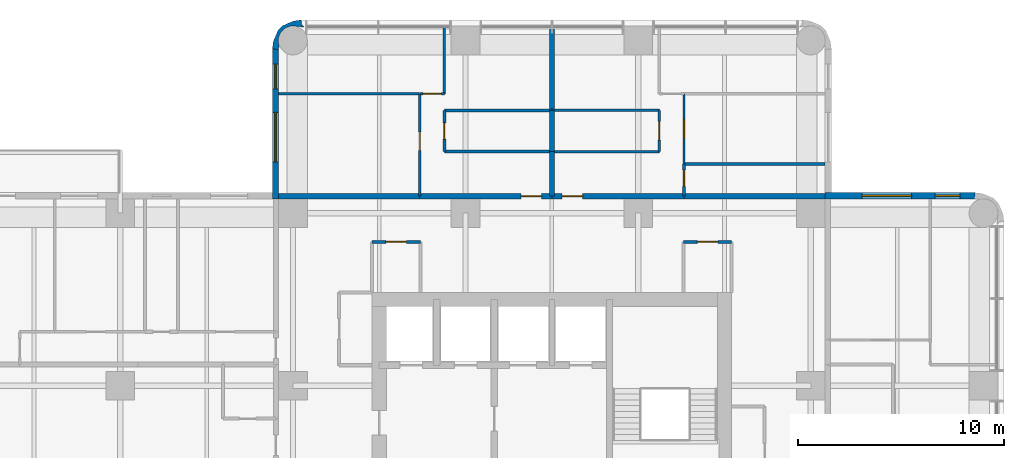
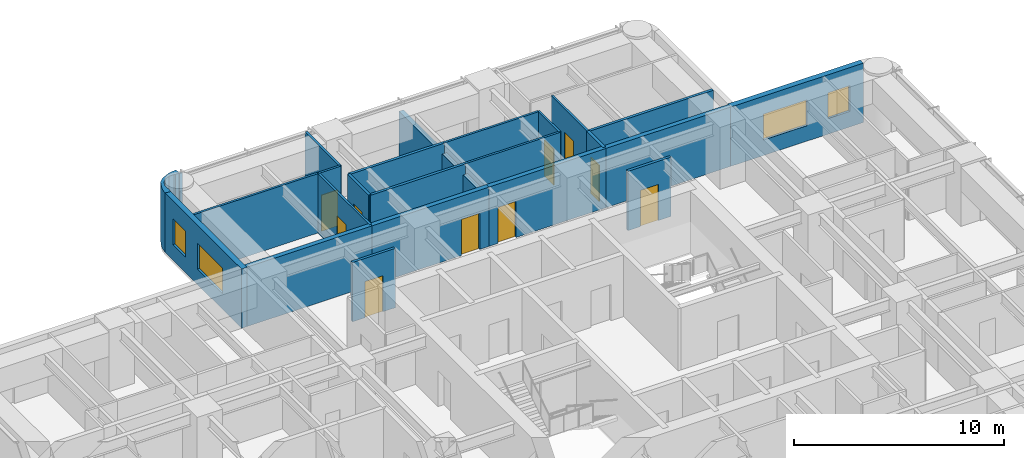
# One storey, part 9 of 11: 25 walls, 10 doors, 4 windows, 14 openings.
"""IFC4 building model written with IfcOpenShell, lengths in metres."""

from ifc_helpers import new_model, si_unit, direction, frame, frame_2d, origin, place, context, subcontext, project, spatial, polyline, rectangle, outline, extrude, material, layer, layer_set, type_object, element, fill, save


model = new_model("IFC4")

# Units and contexts
model_context = context("Model", 3, precision=1e-05, world=origin(), true_north=direction((0.0, 1.0)))
body_context = subcontext(model_context, "Body", "Model", "MODEL_VIEW")
ifc_project = project(units=[si_unit("LENGTHUNIT", "METRE"), si_unit("AREAUNIT", "SQUARE_METRE"), si_unit("VOLUMEUNIT", "CUBIC_METRE"), si_unit("PLANEANGLEUNIT", "RADIAN"), si_unit("MASSUNIT", "GRAM", prefix="KILO")], contexts=[model_context])

# Site, building, storey
site_placement = place(None, origin())
site = spatial("IfcSite", under=ifc_project, at=site_placement, CompositionType="ELEMENT")
building_placement = place(site_placement, origin())
building = spatial("IfcBuilding", under=site, at=building_placement, Name="Torre Alcanfor", CompositionType="ELEMENT")
storey_placement = place(building_placement, frame((0.0, 0.0, 237.300048828125)))
storey = spatial("IfcBuildingStorey", under=building, at=storey_placement, Name="L62", CompositionType="ELEMENT", Elevation=237.300048828125)

# Wall, opening, door
ifc_material_1 = material(Name="Concrete block masonry, hollow blocks NMX-C-404 9 MPa", Category="masonry")
ifc_layer_1 = layer(ifc_material_1, 0.25)
ifc_layer_set_1 = layer_set([ifc_layer_1], Name="Apartment entrance wall 250 EI 60")
wall_type_1 = type_object("IfcWallType", Name="Apartment entrance wall 250 EI 60", PredefinedType="PARTITIONING", material=ifc_layer_set_1)
wall_1_placement = place(storey_placement, frame((22.970947265625, 42.824951171875, 0.0), z_axis=(0.0, 0.0, 1.0), x_axis=(1.0, 0.0, 0.0)))
wall_1 = element("IfcWall", 1, at=wall_1_placement, inside=storey, type_object=wall_type_1, Name="Partition L62-CORR / L62-N1-LIVING", PredefinedType="PARTITIONING", context=body_context, shape_type="SweptSolid", body=[
    extrude(rectangle(XDim=6.428955078125, YDim=0.25, at=frame_2d((3.21435546875, 0.0))), origin(), (0.0, 0.0, 1.0), 3.449951171875),
])
opening_1_placement = place(wall_1_placement, frame((4.928955078125, 0.0, 0.0)))
opening_1 = element("IfcOpeningElement", 2, at=opening_1_placement, cuts=wall_1, Name="Opening D-A1", PredefinedType="OPENING", context=body_context, shape_type="SweptSolid", body=[
    extrude(rectangle(XDim=1.0, YDim=2.10009765625, at=frame_2d((0.5, 1.050048828125))), frame((0.0, 0.135009765625, 0.0), z_axis=(0.0, -1.0, 0.0), x_axis=(1.0, 0.0, 0.0)), (0.0, 0.0, 1.0), 0.27001953125),
])
ifc_material_2 = material(Name="Galvanised steel sheet ASTM A653", Category="steel")
door_type_1 = type_object("IfcDoorType", Name="Apartment entrance door FD60 1000x2100", OperationType="SINGLE_SWING_LEFT", PredefinedType="DOOR", material=ifc_material_2)
door_1_placement = place(opening_1_placement, origin())
door_1 = element("IfcDoor", 3, at=door_1_placement, inside=storey, type_object=door_type_1, Name="Apartment entrance L62-N1", OperationType="SINGLE_SWING_RIGHT", OverallHeight=2.10009765625, OverallWidth=1.0, PredefinedType="DOOR", context=body_context, shape_type="SweptSolid", body=[
    extrude(rectangle(XDim=1.0, YDim=2.10009765625, at=frame_2d((0.5, 1.050048828125))), frame((0.0, 0.02490234375, 0.0), z_axis=(0.0, -1.0, 0.0), x_axis=(1.0, 0.0, 0.0)), (0.0, 0.0, 1.0), 0.050048828125),
])
fill(opening_1, door_1)

# Wall
wall_2_placement = place(storey_placement, frame((16.10009765625, 42.824951171875, 0.0), z_axis=(0.0, 0.0, 1.0), x_axis=(1.0, 0.0, 0.0)))
element("IfcWall", 4, at=wall_2_placement, inside=storey, type_object=wall_type_1, Name="Partition L62-CORR / L62-N1-BED2", PredefinedType="PARTITIONING", context=body_context, shape_type="SweptSolid", body=[
    extrude(rectangle(XDim=6.870849609375, YDim=0.25, at=frame_2d((3.435546875, 0.0))), origin(), (0.0, 0.0, 1.0), 3.449951171875),
])

# Wall, opening, door
wall_3_placement = place(storey_placement, frame((29.39990234375, 42.824951171875, 0.0), z_axis=(0.0, 0.0, 1.0), x_axis=(1.0, 0.0, 0.0)))
wall_3 = element("IfcWall", 5, at=wall_3_placement, inside=storey, type_object=wall_type_1, Name="Partition L62-CORR / L62-N2-LIVING", PredefinedType="PARTITIONING", context=body_context, shape_type="SweptSolid", body=[
    extrude(rectangle(XDim=6.42919921875, YDim=0.25, at=frame_2d((3.214599609375, 0.0))), origin(), (0.0, 0.0, 1.0), 3.449951171875),
])
opening_2_placement = place(wall_3_placement, frame((0.5, 0.0, 0.0)))
opening_2 = element("IfcOpeningElement", 6, at=opening_2_placement, cuts=wall_3, Name="Opening D-A1", PredefinedType="OPENING", context=body_context, shape_type="SweptSolid", body=[
    extrude(rectangle(XDim=1.0, YDim=2.10009765625, at=frame_2d((0.5, 1.050048828125))), frame((0.0, 0.135009765625, 0.0), z_axis=(0.0, -1.0, 0.0), x_axis=(1.0, 0.0, 0.0)), (0.0, 0.0, 1.0), 0.27001953125),
])
door_2_placement = place(opening_2_placement, origin())
door_2 = element("IfcDoor", 7, at=door_2_placement, inside=storey, type_object=door_type_1, Name="Apartment entrance L62-N2", OperationType="SINGLE_SWING_LEFT", OverallHeight=2.10009765625, OverallWidth=1.0, PredefinedType="DOOR", context=body_context, shape_type="SweptSolid", body=[
    extrude(rectangle(XDim=1.0, YDim=2.10009765625, at=frame_2d((0.5, 1.050048828125))), frame((0.0, 0.02490234375, 0.0), z_axis=(0.0, -1.0, 0.0), x_axis=(1.0, 0.0, 0.0)), (0.0, 0.0, 1.0), 0.050048828125),
])
fill(opening_2, door_2)

# Wall
wall_4_placement = place(storey_placement, frame((35.8291015625, 42.824951171875, 0.0), z_axis=(0.0, 0.0, 1.0), x_axis=(1.0, 0.0, 0.0)))
element("IfcWall", 8, at=wall_4_placement, inside=storey, type_object=wall_type_1, Name="Partition L62-CORR / L62-N2-BATH", PredefinedType="PARTITIONING", context=body_context, shape_type="SweptSolid", body=[
    extrude(rectangle(XDim=6.870849609375, YDim=0.25, at=frame_2d((3.435546875, 0.0))), origin(), (0.0, 0.0, 1.0), 3.449951171875),
])

# Wall, opening, door
ifc_material_3 = material(Name="Gypsum board on steel studs", Category="steel")
ifc_layer_2 = layer(ifc_material_3, 0.1201171875)
ifc_layer_set_2 = layer_set([ifc_layer_2], Name="Apartment partition 120")
wall_type_2 = type_object("IfcWallType", Name="Apartment partition 120", PredefinedType="PARTITIONING", material=ifc_layer_set_2)
wall_5_placement = place(storey_placement, frame((22.970947265625, 42.824951171875, 0.0), z_axis=(0.0, 0.0, 1.0), x_axis=(0.0, 1.0, 0.0)))
wall_5 = element("IfcWall", 9, at=wall_5_placement, inside=storey, type_object=wall_type_2, Name="Partition L62-N1-LIVING / L62-N1-BED2", PredefinedType="PARTITIONING", context=body_context, shape_type="SweptSolid", body=[
    extrude(rectangle(XDim=4.97509765625, YDim=0.1201171875, at=frame_2d((2.487548828125, 0.0))), origin(), (0.0, 0.0, 1.0), 3.449951171875),
])
opening_3_placement = place(wall_5_placement, frame((2.22509765625, 0.0, 0.0)))
opening_3 = element("IfcOpeningElement", 10, at=opening_3_placement, cuts=wall_5, Name="Opening D-R1", PredefinedType="OPENING", context=body_context, shape_type="SweptSolid", body=[
    extrude(rectangle(XDim=0.89990234375, YDim=2.10009765625, at=frame_2d((0.449951171875, 1.050048828125))), frame((0.0, 0.070068359375, 0.0), z_axis=(0.0, -1.0, 0.0), x_axis=(1.0, 0.0, 0.0)), (0.0, 0.0, 1.0), 0.14013671875),
])
ifc_material_4 = material(Name="Timber", Category="wood")
door_type_2 = type_object("IfcDoorType", Name="Internal door 900x2100", OperationType="SINGLE_SWING_LEFT", PredefinedType="DOOR", material=ifc_material_4)
door_3_placement = place(opening_3_placement, origin())
door_3 = element("IfcDoor", 11, at=door_3_placement, inside=storey, type_object=door_type_2, Name="Door L62-N1 bed2", OperationType="SINGLE_SWING_RIGHT", OverallHeight=2.10009765625, OverallWidth=0.89990234375, PredefinedType="DOOR", context=body_context, shape_type="SweptSolid", body=[
    extrude(rectangle(XDim=0.89990234375, YDim=2.10009765625, at=frame_2d((0.449951171875, 1.050048828125))), frame((0.0, 0.02490234375, 0.0), z_axis=(0.0, -1.0, 0.0), x_axis=(1.0, 0.0, 0.0)), (0.0, 0.0, 1.0), 0.050048828125),
])
fill(opening_3, door_3)

wall_6_placement = place(storey_placement, frame((22.970947265625, 47.800048828125, 0.0), z_axis=(0.0, 0.0, 1.0), x_axis=(1.0, 0.0, 0.0)))
wall_6 = element("IfcWall", 12, at=wall_6_placement, inside=storey, type_object=wall_type_2, Name="Partition L62-N1-LIVING / L62-N1-MASTER", PredefinedType="PARTITIONING", context=body_context, shape_type="SweptSolid", body=[
    extrude(rectangle(XDim=1.199951171875, YDim=0.1201171875, at=frame_2d((0.60009765625, 0.0))), origin(), (0.0, 0.0, 1.0), 3.449951171875),
])
opening_4_placement = place(wall_6_placement, frame((0.14892578125, 0.0, 0.0)))
opening_4 = element("IfcOpeningElement", 13, at=opening_4_placement, cuts=wall_6, Name="Opening D-R1", PredefinedType="OPENING", context=body_context, shape_type="SweptSolid", body=[
    extrude(rectangle(XDim=0.89990234375, YDim=2.10009765625, at=frame_2d((0.449951171875, 1.050048828125))), frame((0.0, 0.070068359375, 0.0), z_axis=(0.0, -1.0, 0.0), x_axis=(1.0, 0.0, 0.0)), (0.0, 0.0, 1.0), 0.14013671875),
])
door_4_placement = place(opening_4_placement, origin())
door_4 = element("IfcDoor", 14, at=door_4_placement, inside=storey, type_object=door_type_2, Name="Door L62-N1 master", OperationType="SINGLE_SWING_RIGHT", OverallHeight=2.10009765625, OverallWidth=0.89990234375, PredefinedType="DOOR", context=body_context, shape_type="SweptSolid", body=[
    extrude(rectangle(XDim=0.89990234375, YDim=2.10009765625, at=frame_2d((0.449951171875, 1.050048828125))), frame((0.0, 0.02490234375, 0.0), z_axis=(0.0, -1.0, 0.0), x_axis=(1.0, 0.0, 0.0)), (0.0, 0.0, 1.0), 0.050048828125),
])
fill(opening_4, door_4)

# Walls
wall_7_placement = place(storey_placement, frame((24.1708984375, 47.800048828125, 0.0), z_axis=(0.0, 0.0, 1.0), x_axis=(0.0, 1.0, 0.0)))
element("IfcWall", 15, at=wall_7_placement, inside=storey, type_object=wall_type_2, Name="Partition L62-N1-LIVING / L62-N1-MASTER", PredefinedType="PARTITIONING", context=body_context, shape_type="SweptSolid", body=[
    extrude(rectangle(XDim=3.25, YDim=0.1201171875, at=frame_2d((1.625, 0.0))), origin(), (0.0, 0.0, 1.0), 3.449951171875),
])
wall_8_placement = place(storey_placement, frame((22.970947265625, 47.800048828125, 0.0), z_axis=(0.0, 0.0, 1.0), x_axis=(-1.0, 0.0, 0.0)))
element("IfcWall", 16, at=wall_8_placement, inside=storey, type_object=wall_type_2, Name="Partition L62-N1-BED2 / L62-N1-MASTER", PredefinedType="PARTITIONING", context=body_context, shape_type="SweptSolid", body=[
    extrude(rectangle(XDim=6.870849609375, YDim=0.1201171875, at=frame_2d((3.435546875, 0.0))), origin(), (0.0, 0.0, 1.0), 3.449951171875),
])
wall_9_placement = place(storey_placement, frame((29.39990234375, 47.0, 0.0), z_axis=(0.0, 0.0, 1.0), x_axis=(1.0, 0.0, 0.0)))
element("IfcWall", 17, at=wall_9_placement, inside=storey, type_object=wall_type_2, Name="Partition L62-N2-KITCHEN / L62-N2-LIVING", PredefinedType="PARTITIONING", context=body_context, shape_type="SweptSolid", body=[
    extrude(rectangle(XDim=5.22900390625, YDim=0.1201171875, at=frame_2d((2.614501953125, 0.0))), origin(), (0.0, 0.0, 1.0), 3.449951171875),
])

# Wall, opening, door
wall_10_placement = place(storey_placement, frame((34.62890625, 47.0, 0.0), z_axis=(0.0, 0.0, 1.0), x_axis=(0.0, -1.0, 0.0)))
wall_10 = element("IfcWall", 18, at=wall_10_placement, inside=storey, type_object=wall_type_2, Name="Partition L62-N2-KITCHEN / L62-N2-LIVING", PredefinedType="PARTITIONING", context=body_context, shape_type="SweptSolid", body=[
    extrude(rectangle(XDim=2.0, YDim=0.1201171875, at=frame_2d((1.0, 0.0))), origin(), (0.0, 0.0, 1.0), 3.449951171875),
])
opening_5_placement = place(wall_10_placement, frame((0.550048828125, 0.0, 0.0)))
opening_5 = element("IfcOpeningElement", 19, at=opening_5_placement, cuts=wall_10, Name="Opening D-R1", PredefinedType="OPENING", context=body_context, shape_type="SweptSolid", body=[
    extrude(rectangle(XDim=0.89990234375, YDim=2.10009765625, at=frame_2d((0.449951171875, 1.050048828125))), frame((0.0, 0.070068359375, 0.0), z_axis=(0.0, -1.0, 0.0), x_axis=(1.0, 0.0, 0.0)), (0.0, 0.0, 1.0), 0.14013671875),
])
door_5_placement = place(opening_5_placement, frame((0.89990234375, 0.0, 0.0), z_axis=(0.0, 0.0, 1.0), x_axis=(-1.0, 0.0, 0.0)))
door_5 = element("IfcDoor", 20, at=door_5_placement, inside=storey, type_object=door_type_2, Name="Door L62-N2 kitchen", OperationType="SINGLE_SWING_RIGHT", OverallHeight=2.10009765625, OverallWidth=0.89990234375, PredefinedType="DOOR", context=body_context, shape_type="SweptSolid", body=[
    extrude(rectangle(XDim=0.89990234375, YDim=2.10009765625, at=frame_2d((0.449951171875, 1.050048828125))), frame((0.0, 0.025146484375, 0.0), z_axis=(0.0, -1.0, 0.0), x_axis=(1.0, 0.0, 0.0)), (0.0, 0.0, 1.0), 0.050048828125),
])
fill(opening_5, door_5)

# Wall
wall_11_placement = place(storey_placement, frame((34.62890625, 45.0, 0.0), z_axis=(0.0, 0.0, 1.0), x_axis=(-1.0, 0.0, 0.0)))
element("IfcWall", 21, at=wall_11_placement, inside=storey, type_object=wall_type_2, Name="Partition L62-N2-KITCHEN / L62-N2-LIVING", PredefinedType="PARTITIONING", context=body_context, shape_type="SweptSolid", body=[
    extrude(rectangle(XDim=5.22900390625, YDim=0.1201171875, at=frame_2d((2.614501953125, 0.0))), origin(), (0.0, 0.0, 1.0), 3.449951171875),
])

# Wall, opening, door
wall_12_placement = place(storey_placement, frame((35.8291015625, 47.800048828125, 0.0), z_axis=(0.0, 0.0, 1.0), x_axis=(0.0, -1.0, 0.0)))
wall_12 = element("IfcWall", 22, at=wall_12_placement, inside=storey, type_object=wall_type_2, Name="Partition L62-N2-LIVING / L62-N2-STUDY", PredefinedType="PARTITIONING", context=body_context, shape_type="SweptSolid", body=[
    extrude(rectangle(XDim=3.400146484375, YDim=0.1201171875, at=frame_2d((1.7001953125, 0.0))), origin(), (0.0, 0.0, 1.0), 3.449951171875),
])
opening_6_placement = place(wall_12_placement, frame((1.25, 0.0, 0.0)))
opening_6 = element("IfcOpeningElement", 23, at=opening_6_placement, cuts=wall_12, Name="Opening D-R1", PredefinedType="OPENING", context=body_context, shape_type="SweptSolid", body=[
    extrude(rectangle(XDim=0.89990234375, YDim=2.10009765625, at=frame_2d((0.449951171875, 1.050048828125))), frame((0.0, 0.070068359375, 0.0), z_axis=(0.0, -1.0, 0.0), x_axis=(1.0, 0.0, 0.0)), (0.0, 0.0, 1.0), 0.14013671875),
])
door_6_placement = place(opening_6_placement, origin())
door_6 = element("IfcDoor", 24, at=door_6_placement, inside=storey, type_object=door_type_2, Name="Door L62-N2 study", OperationType="SINGLE_SWING_LEFT", OverallHeight=2.10009765625, OverallWidth=0.89990234375, PredefinedType="DOOR", context=body_context, shape_type="SweptSolid", body=[
    extrude(rectangle(XDim=0.89990234375, YDim=2.10009765625, at=frame_2d((0.449951171875, 1.050048828125))), frame((0.0, 0.02490234375, 0.0), z_axis=(0.0, -1.0, 0.0), x_axis=(1.0, 0.0, 0.0)), (0.0, 0.0, 1.0), 0.050048828125),
])
fill(opening_6, door_6)

# Wall, openings, windows
ifc_material_5 = material(Name="Limestone cladding", Category="masonry")
ifc_layer_3 = layer(ifc_material_5, 0.0400390625, Name="Facing")
ifc_material_6 = material(Name="Ventilated air cavity")
ifc_layer_4 = layer(ifc_material_6, 0.02001953125, ventilated=True, Name="Ventilated joint")
ifc_material_7 = material(Name="Mineral wool insulation", Category="insulation")
ifc_layer_5 = layer(ifc_material_7, 0.10009765625, Name="Insulation")
ifc_material_8 = material(Name="Concrete f'c 35 MPa", Category="concrete")
ifc_layer_6 = layer(ifc_material_8, 0.139892578125, Name="Backing")
ifc_layer_set_3 = layer_set([ifc_layer_3, ifc_layer_4, ifc_layer_5, ifc_layer_6], Name="External wall stone-clad 300")
wall_type_3 = type_object("IfcWallType", Name="External wall stone-clad 300", PredefinedType="SOLIDWALL", material=ifc_layer_set_3)
wall_13_placement = place(storey_placement, frame((50.0, 42.85009765625, 0.0), z_axis=(0.0, 0.0, 1.0), x_axis=(-1.0, 0.0, 0.0)))
wall_13 = element("IfcWall", 25, at=wall_13_placement, inside=storey, type_object=wall_type_3, Name="External wall L62 9", PredefinedType="SOLIDWALL", context=body_context, shape_type="SweptSolid", body=[
    extrude(rectangle(XDim=7.300048828125, YDim=0.300048828125, at=frame_2d((3.64990234375, 0.0))), origin(), (0.0, 0.0, 1.0), 3.449951171875),
])
opening_7_placement = place(wall_13_placement, frame((3.10009765625, 0.0, 0.89990234375)))
opening_7 = element("IfcOpeningElement", 26, at=opening_7_placement, cuts=wall_13, Name="Opening W1", PredefinedType="OPENING", context=body_context, shape_type="SweptSolid", body=[
    extrude(rectangle(XDim=2.39990234375, YDim=1.5, at=frame_2d((1.199951171875, 0.75))), frame((0.0, 0.159912109375, 0.0), z_axis=(0.0, -1.0, 0.0), x_axis=(1.0, 0.0, 0.0)), (0.0, 0.0, 1.0), 0.320068359375),
])
opening_8_placement = place(wall_13_placement, frame((0.75, 0.0, 0.89990234375)))
opening_8 = element("IfcOpeningElement", 27, at=opening_8_placement, cuts=wall_13, Name="Opening W4", PredefinedType="OPENING", context=body_context, shape_type="SweptSolid", body=[
    extrude(rectangle(XDim=1.199951171875, YDim=1.5, at=frame_2d((0.60009765625, 0.75))), frame((0.0, 0.159912109375, 0.0), z_axis=(0.0, -1.0, 0.0), x_axis=(1.0, 0.0, 0.0)), (0.0, 0.0, 1.0), 0.320068359375),
])
ifc_material_9 = material(Name="Aluminium frame with clear double glazing", Category="aluminium")
window_type_1 = type_object("IfcWindowType", Name="Window bedroom 1200x1500", PartitioningType="SINGLE_PANEL", PredefinedType="WINDOW", material=ifc_material_9)
window_1_placement = place(opening_8_placement, origin())
window_1 = element("IfcWindow", 28, at=window_1_placement, inside=storey, type_object=window_type_1, Name="Window W4 L62-E1", OverallHeight=1.5, OverallWidth=1.199951171875, PartitioningType="SINGLE_PANEL", PredefinedType="WINDOW", context=body_context, shape_type="SweptSolid", body=[
    extrude(rectangle(XDim=1.199951171875, YDim=1.5, at=frame_2d((0.60009765625, 0.75))), frame((0.0, 0.030029296875, 0.0), z_axis=(0.0, -1.0, 0.0), x_axis=(1.0, 0.0, 0.0)), (0.0, 0.0, 1.0), 0.06005859375),
])
fill(opening_8, window_1)
ifc_material_10 = material(Name="Aluminium frame with clear double glazing", Category="aluminium")
window_type_2 = type_object("IfcWindowType", Name="Window bedroom 2400x1500", PartitioningType="SINGLE_PANEL", PredefinedType="WINDOW", material=ifc_material_10)
window_2_placement = place(opening_7_placement, origin())
window_2 = element("IfcWindow", 29, at=window_2_placement, inside=storey, type_object=window_type_2, Name="Window W1 L62-E1", OverallHeight=1.5, OverallWidth=2.39990234375, PartitioningType="SINGLE_PANEL", PredefinedType="WINDOW", context=body_context, shape_type="SweptSolid", body=[
    extrude(rectangle(XDim=2.39990234375, YDim=1.5, at=frame_2d((1.199951171875, 0.75))), frame((0.0, 0.030029296875, 0.0), z_axis=(0.0, -1.0, 0.0), x_axis=(1.0, 0.0, 0.0)), (0.0, 0.0, 1.0), 0.06005859375),
])
fill(opening_7, window_2)

wall_14_placement = place(storey_placement, frame((15.949951171875, 50.0, 0.0), z_axis=(0.0, 0.0, 1.0), x_axis=(0.0, -1.0, 0.0)))
wall_14 = element("IfcWall", 30, at=wall_14_placement, inside=storey, type_object=wall_type_3, Name="External wall L62 12", PredefinedType="SOLIDWALL", context=body_context, shape_type="SweptSolid", body=[
    extrude(rectangle(XDim=7.300048828125, YDim=0.300048828125, at=frame_2d((3.64990234375, 0.0))), origin(), (0.0, 0.0, 1.0), 3.449951171875),
])
opening_9_placement = place(wall_14_placement, frame((3.10009765625, 0.0, 0.89990234375)))
opening_9 = element("IfcOpeningElement", 31, at=opening_9_placement, cuts=wall_14, Name="Opening W1", PredefinedType="OPENING", context=body_context, shape_type="SweptSolid", body=[
    extrude(rectangle(XDim=2.39990234375, YDim=1.5, at=frame_2d((1.199951171875, 0.75))), frame((0.0, 0.159912109375, 0.0), z_axis=(0.0, -1.0, 0.0), x_axis=(1.0, 0.0, 0.0)), (0.0, 0.0, 1.0), 0.320068359375),
])
opening_10_placement = place(wall_14_placement, frame((0.75, 0.0, 0.89990234375)))
opening_10 = element("IfcOpeningElement", 32, at=opening_10_placement, cuts=wall_14, Name="Opening W4", PredefinedType="OPENING", context=body_context, shape_type="SweptSolid", body=[
    extrude(rectangle(XDim=1.199951171875, YDim=1.5, at=frame_2d((0.60009765625, 0.75))), frame((0.0, 0.159912109375, 0.0), z_axis=(0.0, -1.0, 0.0), x_axis=(1.0, 0.0, 0.0)), (0.0, 0.0, 1.0), 0.320068359375),
])
window_3_placement = place(opening_10_placement, origin())
window_3 = element("IfcWindow", 33, at=window_3_placement, inside=storey, type_object=window_type_1, Name="Window W4 L62-N1", OverallHeight=1.5, OverallWidth=1.199951171875, PartitioningType="SINGLE_PANEL", PredefinedType="WINDOW", context=body_context, shape_type="SweptSolid", body=[
    extrude(rectangle(XDim=1.199951171875, YDim=1.5, at=frame_2d((0.60009765625, 0.75))), frame((0.0, 0.030029296875, 0.0), z_axis=(0.0, -1.0, 0.0), x_axis=(1.0, 0.0, 0.0)), (0.0, 0.0, 1.0), 0.06005859375),
])
fill(opening_10, window_3)
window_4_placement = place(opening_9_placement, origin())
window_4 = element("IfcWindow", 34, at=window_4_placement, inside=storey, type_object=window_type_2, Name="Window W1 L62-N1", OverallHeight=1.5, OverallWidth=2.39990234375, PartitioningType="SINGLE_PANEL", PredefinedType="WINDOW", context=body_context, shape_type="SweptSolid", body=[
    extrude(rectangle(XDim=2.39990234375, YDim=1.5, at=frame_2d((1.199951171875, 0.75))), frame((0.0, 0.030029296875, 0.0), z_axis=(0.0, -1.0, 0.0), x_axis=(1.0, 0.0, 0.0)), (0.0, 0.0, 1.0), 0.06005859375),
])
fill(opening_9, window_4)

# Walls
ifc_material_11 = material(Name="Concrete block masonry, hollow blocks NMX-C-404 9 MPa", Category="masonry")
ifc_layer_7 = layer(ifc_material_11, 0.25)
ifc_layer_set_4 = layer_set([ifc_layer_7], Name="Party wall 250 EI 60")
wall_type_4 = type_object("IfcWallType", Name="Party wall 250 EI 60", PredefinedType="PARTITIONING", material=ifc_layer_set_4)
wall_15_placement = place(storey_placement, frame((29.39990234375, 45.0, 0.0), z_axis=(0.0, 0.0, 1.0), x_axis=(0.0, 1.0, 0.0)))
element("IfcWall", 35, at=wall_15_placement, inside=storey, type_object=wall_type_4, Name="Partition L62-N1-BATH / L62-N2-KITCHEN", PredefinedType="PARTITIONING", context=body_context, shape_type="SweptSolid", body=[
    extrude(rectangle(XDim=2.0, YDim=0.25, at=frame_2d((1.0, 0.0))), origin(), (0.0, 0.0, 1.0), 2.847900390625),
])
wall_16_placement = place(storey_placement, frame((29.39990234375, 45.0, 0.0), z_axis=(0.0, 0.0, 1.0), x_axis=(0.0, -1.0, 0.0)))
element("IfcWall", 36, at=wall_16_placement, inside=storey, type_object=wall_type_4, Name="Partition L62-N1-LIVING / L62-N2-LIVING", PredefinedType="PARTITIONING", context=body_context, shape_type="SweptSolid", body=[
    extrude(rectangle(XDim=2.175048828125, YDim=0.25, at=frame_2d((1.08740234375, 0.0))), origin(), (0.0, 0.0, 1.0), 2.847900390625),
])
wall_17_placement = place(storey_placement, frame((29.39990234375, 51.050048828125, 0.0), z_axis=(0.0, 0.0, 1.0), x_axis=(0.0, -1.0, 0.0)))
element("IfcWall", 37, at=wall_17_placement, inside=storey, type_object=wall_type_4, Name="Partition L62-N1-LIVING / L62-N2-LIVING", PredefinedType="PARTITIONING", context=body_context, shape_type="SweptSolid", body=[
    extrude(rectangle(XDim=4.050048828125, YDim=0.25, at=frame_2d((2.02490234375, 0.0))), origin(), (0.0, 0.0, 1.0), 2.847900390625),
])

# Wall, opening, door
ifc_material_12 = material(Name="Concrete block masonry, hollow blocks NMX-C-404 9 MPa", Category="masonry")
ifc_layer_8 = layer(ifc_material_12, 0.14990234375)
ifc_layer_set_5 = layer_set([ifc_layer_8], Name="Residents' room partition 150")
wall_type_5 = type_object("IfcWallType", Name="Residents' room partition 150", PredefinedType="PARTITIONING", material=ifc_layer_set_5)
wall_18_placement = place(storey_placement, frame((23.0, 40.60009765625, 0.0), z_axis=(0.0, 0.0, 1.0), x_axis=(-1.0, 0.0, 0.0)))
wall_18 = element("IfcWall", 38, at=wall_18_placement, inside=storey, type_object=wall_type_5, Name="Partition L62-CORR / L62-G01", PredefinedType="PARTITIONING", context=body_context, shape_type="SweptSolid", body=[
    extrude(rectangle(XDim=2.35009765625, YDim=0.14990234375, at=frame_2d((1.175048828125, 0.0))), origin(), (0.0, 0.0, 1.0), 3.449951171875),
])
opening_11_placement = place(wall_18_placement, frame((0.675048828125, 0.0, 0.0)))
opening_11 = element("IfcOpeningElement", 39, at=opening_11_placement, cuts=wall_18, Name="Opening D-M1", PredefinedType="OPENING", context=body_context, shape_type="SweptSolid", body=[
    extrude(rectangle(XDim=1.0, YDim=2.10009765625, at=frame_2d((0.5, 1.050048828125))), frame((0.0, 0.0849609375, 0.0), z_axis=(0.0, -1.0, 0.0), x_axis=(1.0, 0.0, 0.0)), (0.0, 0.0, 1.0), 0.169921875),
])
ifc_material_13 = material(Name="Timber", Category="wood")
door_type_3 = type_object("IfcDoorType", Name="Residents' room door 1000x2100", OperationType="SINGLE_SWING_LEFT", PredefinedType="DOOR", material=ifc_material_13)
door_7_placement = place(opening_11_placement, origin())
door_7 = element("IfcDoor", 40, at=door_7_placement, inside=storey, type_object=door_type_3, Name="Door L62-G01 parcel room", OperationType="SINGLE_SWING_LEFT", OverallHeight=2.10009765625, OverallWidth=1.0, PredefinedType="DOOR", context=body_context, shape_type="SweptSolid", body=[
    extrude(rectangle(XDim=1.0, YDim=2.10009765625, at=frame_2d((0.5, 1.050048828125))), frame((0.0, 0.02490234375, 0.0), z_axis=(0.0, -1.0, 0.0), x_axis=(1.0, 0.0, 0.0)), (0.0, 0.0, 1.0), 0.050048828125),
])
fill(opening_11, door_7)

wall_19_placement = place(storey_placement, frame((38.14990234375, 40.60009765625, 0.0), z_axis=(0.0, 0.0, 1.0), x_axis=(-1.0, 0.0, 0.0)))
wall_19 = element("IfcWall", 41, at=wall_19_placement, inside=storey, type_object=wall_type_5, Name="Partition L62-CORR / L62-G02", PredefinedType="PARTITIONING", context=body_context, shape_type="SweptSolid", body=[
    extrude(rectangle(XDim=2.349853515625, YDim=0.14990234375, at=frame_2d((1.1748046875, 0.0))), origin(), (0.0, 0.0, 1.0), 3.449951171875),
])
opening_12_placement = place(wall_19_placement, frame((0.675048828125, 0.0, 0.0)))
opening_12 = element("IfcOpeningElement", 42, at=opening_12_placement, cuts=wall_19, Name="Opening D-M1", PredefinedType="OPENING", context=body_context, shape_type="SweptSolid", body=[
    extrude(rectangle(XDim=1.0, YDim=2.10009765625, at=frame_2d((0.5, 1.050048828125))), frame((0.0, 0.0849609375, 0.0), z_axis=(0.0, -1.0, 0.0), x_axis=(1.0, 0.0, 0.0)), (0.0, 0.0, 1.0), 0.169921875),
])
door_8_placement = place(opening_12_placement, origin())
door_8 = element("IfcDoor", 43, at=door_8_placement, inside=storey, type_object=door_type_3, Name="Door L62-G02 parcel room", OperationType="SINGLE_SWING_LEFT", OverallHeight=2.10009765625, OverallWidth=1.0, PredefinedType="DOOR", context=body_context, shape_type="SweptSolid", body=[
    extrude(rectangle(XDim=1.0, YDim=2.10009765625, at=frame_2d((0.5, 1.050048828125))), frame((0.0, 0.02490234375, 0.0), z_axis=(0.0, -1.0, 0.0), x_axis=(1.0, 0.0, 0.0)), (0.0, 0.0, 1.0), 0.050048828125),
])
fill(opening_12, door_8)

# Walls
ifc_layer_9 = layer(ifc_material_5, 0.0400390625, Name="Facing")
ifc_layer_10 = layer(ifc_material_6, 0.02001953125, ventilated=True, Name="Ventilated joint")
ifc_layer_11 = layer(ifc_material_7, 0.10009765625, Name="Insulation")
ifc_layer_12 = layer(ifc_material_8, 0.139892578125, Name="Backing")
ifc_layer_set_6 = layer_set([ifc_layer_9, ifc_layer_10, ifc_layer_11, ifc_layer_12], Name="Rounded corner pier stone-clad 300")
wall_type_6 = type_object("IfcWallType", Name="Rounded corner pier stone-clad 300", PredefinedType="SOLIDWALL", material=ifc_layer_set_6)
wall_20_placement = place(storey_placement, frame((17.312325495, 50.98815184, 0.0), z_axis=(0.0, 0.0, 1.0), x_axis=(-0.439933741929, 0.898030234854, 0.0)))
element("IfcWall", 44, at=wall_20_placement, inside=storey, type_object=wall_type_6, Name="Corner pier L62 20", PredefinedType="SOLIDWALL", context=body_context, shape_type="SweptSolid", body=[
    extrude(outline(polyline([(0.1377143835604198, -0.039385181817258766), (0.1818364553516057, -0.0003747232930663008), (0.4192016580531099, -0.08022740006820503), (0.5358388106960636, 0.26607727478531357), (0.5587531272282371, 0.6308374918089354), (0.5545485345760868, 0.6511120475500328), (0.5663705271242188, 0.8356242584424797), (0.45553712270786306, 1.1593357577081085), (0.33310540567156155, 1.2978817433582523), (0.3240010425966217, 1.316478699637952), (0.08232775629815992, 1.5906485457460864), (-0.22208869605726766, 1.7927915068834772), (-0.3896080971502234, 1.5407383104861123), (-0.3718491984629172, 1.532038448890355), (-0.1945577897528935, 1.41446516530517), (-0.1197255547664915, 1.4096136894189937), (0.13065299215824444, 1.286956381488686), (0.3152401217440383, 1.07772560900137), (0.4057142184300525, 0.8140105545565798), (0.3881041552353981, 0.5355508442955765), (0.26544684730509027, 0.28517229737084054), (0.20907264065944553, 0.23558040158200633), (0.14755628183616776, 0.052848260637269044), (0.10502262325175554, 0.07368496618760154), (0.031879342428165675, -0.0756213301834538), (0.1377143835604198, -0.039385181817258766)])), origin(), (0.0, 0.0, 1.0), 3.449951171875),
])
ifc_material_14 = material(Name="Cement board on steel studs", Category="steel")
ifc_layer_13 = layer(ifc_material_14, 0.14990234375)
ifc_layer_set_7 = layer_set([ifc_layer_13], Name="Wet area partition 150")
wall_type_7 = type_object("IfcWallType", Name="Wet area partition 150", PredefinedType="PARTITIONING", material=ifc_layer_set_7)
wall_21_placement = place(storey_placement, frame((29.39990234375, 47.0, 0.0), z_axis=(0.0, 0.0, 1.0), x_axis=(-1.0, 0.0, 0.0)))
element("IfcWall", 45, at=wall_21_placement, inside=storey, type_object=wall_type_7, Name="Partition L62-N1-BATH / L62-N1-LIVING", PredefinedType="PARTITIONING", context=body_context, shape_type="SweptSolid", body=[
    extrude(rectangle(XDim=5.22900390625, YDim=0.14990234375, at=frame_2d((2.614501953125, 0.0))), origin(), (0.0, 0.0, 1.0), 3.449951171875),
])

# Wall, opening, door
wall_22_placement = place(storey_placement, frame((24.1708984375, 47.0, 0.0), z_axis=(0.0, 0.0, 1.0), x_axis=(0.0, -1.0, 0.0)))
wall_22 = element("IfcWall", 46, at=wall_22_placement, inside=storey, type_object=wall_type_7, Name="Partition L62-N1-BATH / L62-N1-LIVING", PredefinedType="PARTITIONING", context=body_context, shape_type="SweptSolid", body=[
    extrude(rectangle(XDim=2.0, YDim=0.14990234375, at=frame_2d((1.0, 0.0))), origin(), (0.0, 0.0, 1.0), 3.449951171875),
])
opening_13_placement = place(wall_22_placement, frame((0.60009765625, 0.0, 0.0)))
opening_13 = element("IfcOpeningElement", 47, at=opening_13_placement, cuts=wall_22, Name="Opening D-R2", PredefinedType="OPENING", context=body_context, shape_type="SweptSolid", body=[
    extrude(rectangle(XDim=0.800048828125, YDim=2.10009765625, at=frame_2d((0.39990234375, 1.050048828125))), frame((0.0, 0.0849609375, 0.0), z_axis=(0.0, -1.0, 0.0), x_axis=(1.0, 0.0, 0.0)), (0.0, 0.0, 1.0), 0.169921875),
])
ifc_material_15 = material(Name="Timber", Category="wood")
door_type_4 = type_object("IfcDoorType", Name="Bathroom door 800x2100", OperationType="SINGLE_SWING_LEFT", PredefinedType="DOOR", material=ifc_material_15)
door_9_placement = place(opening_13_placement, origin())
door_9 = element("IfcDoor", 48, at=door_9_placement, inside=storey, type_object=door_type_4, Name="Door L62-N1 bath", OperationType="SINGLE_SWING_LEFT", OverallHeight=2.10009765625, OverallWidth=0.800048828125, PredefinedType="DOOR", context=body_context, shape_type="SweptSolid", body=[
    extrude(rectangle(XDim=0.800048828125, YDim=2.10009765625, at=frame_2d((0.39990234375, 1.050048828125))), frame((0.0, 0.02490234375, 0.0), z_axis=(0.0, -1.0, 0.0), x_axis=(1.0, 0.0, 0.0)), (0.0, 0.0, 1.0), 0.050048828125),
])
fill(opening_13, door_9)

# Wall
wall_23_placement = place(storey_placement, frame((24.1708984375, 45.0, 0.0), z_axis=(0.0, 0.0, 1.0), x_axis=(1.0, 0.0, 0.0)))
element("IfcWall", 49, at=wall_23_placement, inside=storey, type_object=wall_type_7, Name="Partition L62-N1-BATH / L62-N1-LIVING", PredefinedType="PARTITIONING", context=body_context, shape_type="SweptSolid", body=[
    extrude(rectangle(XDim=5.22900390625, YDim=0.14990234375, at=frame_2d((2.614501953125, 0.0))), origin(), (0.0, 0.0, 1.0), 3.449951171875),
])

# Wall, opening, door
wall_24_placement = place(storey_placement, frame((35.8291015625, 44.39990234375, 0.0), z_axis=(0.0, 0.0, 1.0), x_axis=(0.0, -1.0, 0.0)))
wall_24 = element("IfcWall", 50, at=wall_24_placement, inside=storey, type_object=wall_type_7, Name="Partition L62-N2-LIVING / L62-N2-BATH", PredefinedType="PARTITIONING", context=body_context, shape_type="SweptSolid", body=[
    extrude(rectangle(XDim=1.574951171875, YDim=0.14990234375, at=frame_2d((0.78759765625, 0.0))), origin(), (0.0, 0.0, 1.0), 3.449951171875),
])
opening_14_placement = place(wall_24_placement, frame((0.300048828125, 0.0, 0.0)))
opening_14 = element("IfcOpeningElement", 51, at=opening_14_placement, cuts=wall_24, Name="Opening D-R2", PredefinedType="OPENING", context=body_context, shape_type="SweptSolid", body=[
    extrude(rectangle(XDim=0.800048828125, YDim=2.10009765625, at=frame_2d((0.39990234375, 1.050048828125))), frame((0.0, 0.0849609375, 0.0), z_axis=(0.0, -1.0, 0.0), x_axis=(1.0, 0.0, 0.0)), (0.0, 0.0, 1.0), 0.169921875),
])
door_10_placement = place(opening_14_placement, origin())
door_10 = element("IfcDoor", 52, at=door_10_placement, inside=storey, type_object=door_type_4, Name="Door L62-N2 bath", OperationType="SINGLE_SWING_LEFT", OverallHeight=2.10009765625, OverallWidth=0.800048828125, PredefinedType="DOOR", context=body_context, shape_type="SweptSolid", body=[
    extrude(rectangle(XDim=0.800048828125, YDim=2.10009765625, at=frame_2d((0.39990234375, 1.050048828125))), frame((0.0, 0.02490234375, 0.0), z_axis=(0.0, -1.0, 0.0), x_axis=(1.0, 0.0, 0.0)), (0.0, 0.0, 1.0), 0.050048828125),
])
fill(opening_14, door_10)

# Wall
wall_25_placement = place(storey_placement, frame((35.8291015625, 44.39990234375, 0.0), z_axis=(0.0, 0.0, 1.0), x_axis=(1.0, 0.0, 0.0)))
element("IfcWall", 53, at=wall_25_placement, inside=storey, type_object=wall_type_7, Name="Partition L62-N2-BATH / L62-N2-STUDY", PredefinedType="PARTITIONING", context=body_context, shape_type="SweptSolid", body=[
    extrude(rectangle(XDim=6.870849609375, YDim=0.14990234375, at=frame_2d((3.435546875, 0.0))), origin(), (0.0, 0.0, 1.0), 3.449951171875),
])

save(model, "model.ifc")
